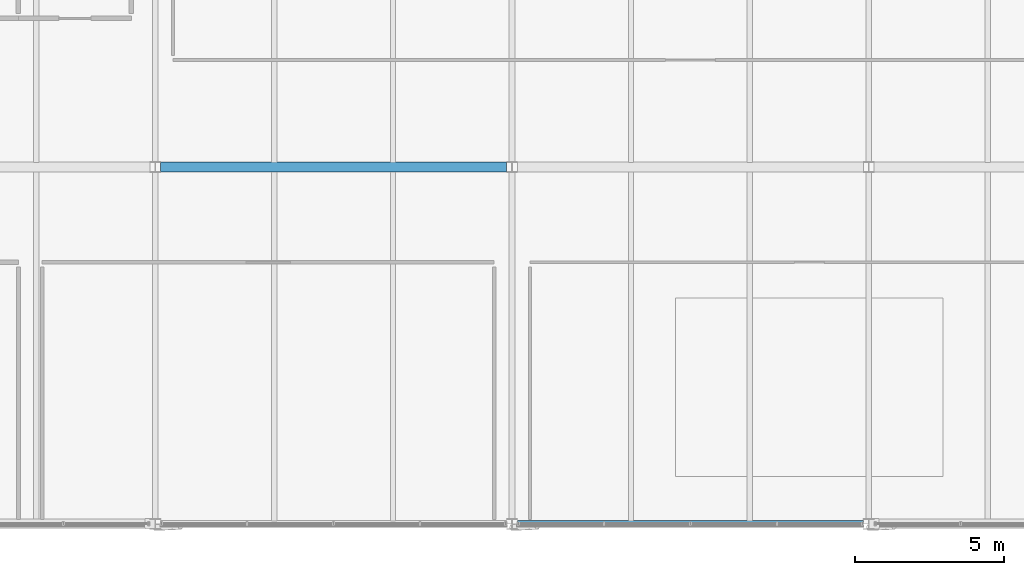
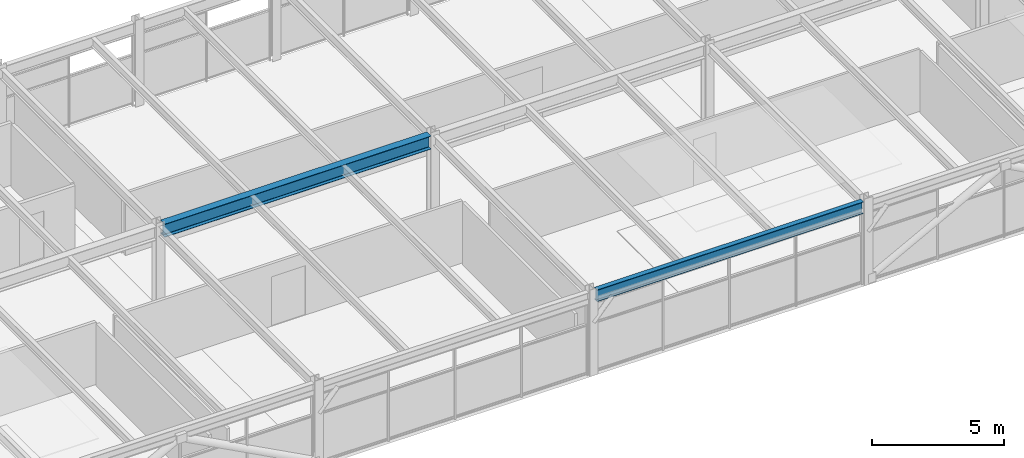
# One storey, part 13 of 32: 2 beams.
"""IFC4 building model written with IfcOpenShell, lengths in metres."""

from ifc_helpers import new_model, si_unit, direction, frame, origin, origin_2d, place, context, subcontext, project, spatial, i_section, extrude, material, material_profile, profile_set, type_object, element, save


model = new_model("IFC4")

# Units and contexts
model_context = context("Model", 3, precision=1e-05, world=origin(), true_north=direction((0.0, 1.0)))
body_context = subcontext(model_context, "Body", "Model", "MODEL_VIEW")
ifc_project = project(units=[si_unit("LENGTHUNIT", "METRE"), si_unit("AREAUNIT", "SQUARE_METRE"), si_unit("VOLUMEUNIT", "CUBIC_METRE"), si_unit("PLANEANGLEUNIT", "RADIAN"), si_unit("MASSUNIT", "GRAM", prefix="KILO")], contexts=[model_context])

# Site, building, storey
site_placement = place(None, origin())
site = spatial("IfcSite", under=ifc_project, at=site_placement, CompositionType="ELEMENT")
building_placement = place(site_placement, origin())
building = spatial("IfcBuilding", under=site, at=building_placement, Name="Girod Span Mobility Hub", CompositionType="ELEMENT")
storey_placement = place(building_placement, frame((0.0, 0.0, 61.60009765625)))
storey = spatial("IfcBuildingStorey", under=building, at=storey_placement, Name="L15", CompositionType="ELEMENT", Elevation=61.60009765625)

# Beams
ifc_material_1 = material(Name="Steel A992 Grade 50", Category="steel")
ifc_material_profile_1 = material_profile(ifc_material_1, i_section(OverallWidth=0.2119140625, OverallDepth=0.5439453125, WebThickness=0.01318359375, FlangeThickness=0.021240234375, FilletRadius=0.014892578125, at=origin_2d()), Name="W21X83")
ifc_profile_set_1 = profile_set([ifc_material_profile_1], Name="Steel A992 Grade 50")
beam_type_1 = type_object("IfcBeamType", Name="BM-STL-W21X83", PredefinedType="SPANDREL", material=ifc_profile_set_1)
beam_1_placement = place(storey_placement, frame((84.181396484375, 45.0, 3.56787109375), z_axis=(1.0, 0.0, 0.0), x_axis=(0.0, 1.0, 0.0)))
element("IfcBeam", 1, at=beam_1_placement, inside=storey, type_object=beam_type_1, Name="Girder 8-9/D L15", PredefinedType="SPANDREL", context=body_context, shape_type="SweptSolid", body=[
    extrude(i_section(OverallWidth=0.2119140625, OverallDepth=0.5439453125, WebThickness=0.01318359375, FlangeThickness=0.021240234375, FilletRadius=0.014892578125, at=origin_2d()), origin(), (0.0, 0.0, 1.0), 11.63720703125),
])
ifc_material_2 = material(Name="Steel A992 Grade 50", Category="steel")
ifc_material_profile_2 = material_profile(ifc_material_2, i_section(OverallWidth=0.323974609375, OverallDepth=0.611083984375, WebThickness=0.0126953125, FlangeThickness=0.01904296875, FilletRadius=0.014892578125, at=origin_2d()), Name="W24X104")
ifc_profile_set_2 = profile_set([ifc_material_profile_2], Name="Steel A992 Grade 50")
beam_type_2 = type_object("IfcBeamType", Name="BM-STL-W24X104", PredefinedType="BEAM", material=ifc_profile_set_2)
beam_2_placement = place(storey_placement, frame((72.181396484375, 57.0, 3.534423828125), z_axis=(1.0, 0.0, 0.0), x_axis=(0.0, 1.0, 0.0)))
element("IfcBeam", 2, at=beam_2_placement, inside=storey, type_object=beam_type_2, Name="Girder 7-8/E L15", PredefinedType="BEAM", context=body_context, shape_type="SweptSolid", body=[
    extrude(i_section(OverallWidth=0.323974609375, OverallDepth=0.611083984375, WebThickness=0.0126953125, FlangeThickness=0.01904296875, FilletRadius=0.014892578125, at=origin_2d()), origin(), (0.0, 0.0, 1.0), 11.63720703125),
])

save(model, "model.ifc")
